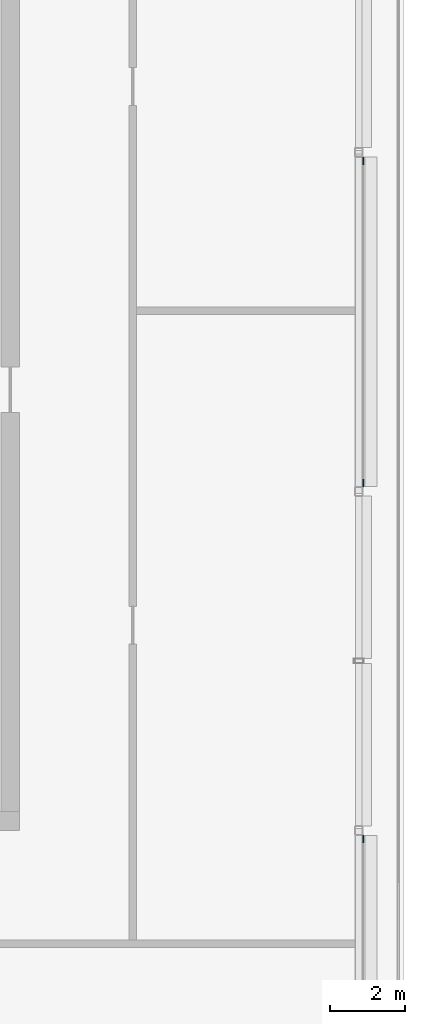
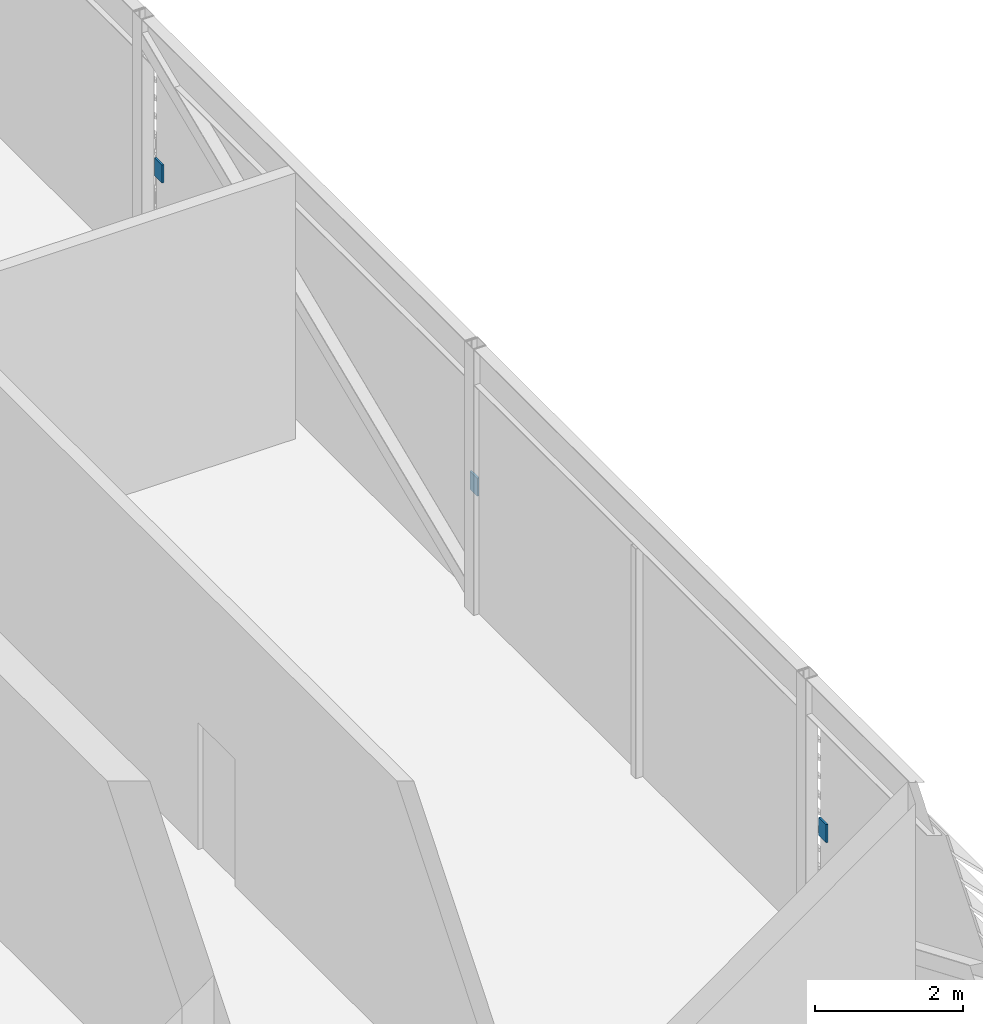
# One storey, part 22 of 29: 3 discrete accessories.
"""IFC4 building model written with IfcOpenShell, lengths in metres."""

import ifcopenshell
import ifcopenshell.guid

model = None  # the IFC model being written
_history = None  # IfcOwnerHistory: only IFC2X3 demands one
_inside = {}  # id of a spatial element -> (the spatial element, [elements in it])
_under = {}  # id of a project, library or spatial element -> (it, [spatial elements below it])
_declared = {}  # id of a project -> (the project, [libraries it declares])
_typed = {}  # id of a type object -> (the type object, [elements of that type])
_made_of = {}  # id of a material, layer set ... -> (it, [elements and type objects made of it])


def new_model(schema):
    """Start an empty IFC model of exactly this schema.

    Asked for "IFC4X3", IfcOpenShell would pick the latest addendum, in which some entities
    have other attributes; the version numbers below select the first issue.
    IFC2X3 requires an IfcOwnerHistory on every rooted entity: one is made here for all.
    """
    global model, _history
    if schema == "IFC4X3":
        model = ifcopenshell.file(schema_version=(4, 3, 0, 0))
    else:
        model = ifcopenshell.file(schema=schema)
    _inside.clear()
    _under.clear()
    _declared.clear()
    _typed.clear()
    _made_of.clear()
    _history = None
    if model.schema == "IFC2X3":
        org = make("IfcOrganization", Name="unknown")
        user = make(
            "IfcPersonAndOrganization",
            ThePerson=make("IfcPerson", FamilyName="unknown"),
            TheOrganization=org,
        )
        app = make(
            "IfcApplication",
            ApplicationDeveloper=org,
            Version="unknown",
            ApplicationFullName="unknown",
            ApplicationIdentifier="unknown",
        )
        _history = make(
            "IfcOwnerHistory",
            OwningUser=user,
            OwningApplication=app,
            ChangeAction="ADDED",
            CreationDate=0,
        )
    return model


def make(cls, **values):
    """One entity of the class cls with the attributes given. An attribute that is None is left unset."""
    return model.create_entity(
        cls, **{name: value for name, value in values.items() if value is not None}
    )


def rooted(cls, **values):
    """An entity with a GlobalId (a new one), such as an element, a storey or a relation."""
    return make(cls, GlobalId=ifcopenshell.guid.new(), OwnerHistory=_history, **values)


def si_unit(unit_type, name, prefix=None):
    """IfcSIUnit, for example si_unit("LENGTHUNIT", "METRE", prefix="MILLI")."""
    return make("IfcSIUnit", UnitType=unit_type, Prefix=prefix, Name=name)


def assignment(units):
    """IfcUnitAssignment: the units of a project."""
    return None if units is None else make("IfcUnitAssignment", Units=units)


def point(xyz):
    """IfcCartesianPoint."""
    return None if xyz is None else make("IfcCartesianPoint", Coordinates=xyz)


def direction(xyz):
    """IfcDirection."""
    return None if xyz is None else make("IfcDirection", DirectionRatios=xyz)


def frame(location, z_axis=None, x_axis=None):
    """IfcAxis2Placement3D, a coordinate frame: its origin and axes. An axis left out is left unset."""
    return make(
        "IfcAxis2Placement3D",
        Location=point(location),
        Axis=direction(z_axis),
        RefDirection=direction(x_axis),
    )


def frame_2d(location, x_axis=None):
    """IfcAxis2Placement2D, a coordinate frame in the plane: its origin and x axis."""
    return make(
        "IfcAxis2Placement2D", Location=point(location), RefDirection=direction(x_axis)
    )


def origin():
    """The frame at (0, 0, 0) with its axes left unset."""
    return frame((0.0, 0.0, 0.0))


def origin_2d():
    """The frame at (0, 0) in the plane with its x axis left unset."""
    return frame_2d((0.0, 0.0))


def place(relative_to, where):
    """IfcLocalPlacement: puts the frame where relative to a parent placement (None: the world)."""
    return make(
        "IfcLocalPlacement", PlacementRelTo=relative_to, RelativePlacement=where
    )


def context(
    kind, dimensions, precision=None, world=None, true_north=None, identifier=None
):
    """IfcGeometricRepresentationContext, for example the 3D "Model" context."""
    return make(
        "IfcGeometricRepresentationContext",
        ContextIdentifier=identifier,
        ContextType=kind,
        CoordinateSpaceDimension=dimensions,
        Precision=precision,
        WorldCoordinateSystem=world,
        TrueNorth=true_north,
    )


def subcontext(parent, identifier, kind, view, scale=None):
    """IfcGeometricRepresentationSubContext, for example "Body" below "Model"."""
    return make(
        "IfcGeometricRepresentationSubContext",
        ContextIdentifier=identifier,
        ContextType=kind,
        ParentContext=parent,
        TargetScale=scale,
        TargetView=view,
    )


def project(units=None, contexts=None):
    """IfcProject with its units and contexts."""
    return rooted(
        "IfcProject",
        Name="project",
        RepresentationContexts=contexts,
        UnitsInContext=assignment(units),
    )


def spatial(cls, under=None, at=None, **own):
    """A site, building, storey or space (cls), placed at a placement, below another one or the project."""
    s = rooted(cls, ObjectPlacement=at, **own)
    if under is not None:
        _under.setdefault(under.id(), (under, []))[1].append(s)
    return s


def profile(cls, at=None, kind="AREA", **sizes):
    """A parametric profile (cls). Its sizes go by their IFC names, for example OverallWidth=200.0."""
    return make(cls, ProfileType=kind, Position=at, **sizes)


def rectangle(**sizes):
    """IfcRectangleProfileDef."""
    return profile("IfcRectangleProfileDef", **sizes)


def extrude(swept, where, along, depth):
    """IfcExtrudedAreaSolid: the profile swept, set in the frame where, extruded along a direction by depth."""
    return make(
        "IfcExtrudedAreaSolid",
        SweptArea=swept,
        Position=where,
        ExtrudedDirection=direction(along),
        Depth=depth,
    )


def shape(context_of_items, identifier, shape_type, items):
    """IfcShapeRepresentation: the items that make up one representation, for example the "Body"."""
    return make(
        "IfcShapeRepresentation",
        ContextOfItems=context_of_items,
        RepresentationIdentifier=identifier,
        RepresentationType=shape_type,
        Items=items,
    )


def material(Name=None, Category=None):
    """IfcMaterial."""
    return make("IfcMaterial", Name=Name, Category=Category)


def made_of(thing, what):
    """Note that an element or type object is made of a material, layer set ...; save() writes the relation."""
    if what is not None:
        _made_of.setdefault(what.id(), (what, []))[1].append(thing)
    return thing


def type_object(cls, material=None, **own):
    """A type object (cls), such as IfcWallType, which elements share."""
    return made_of(rooted(cls, **own), material)


def element(
    cls,
    number,
    at=None,
    inside=None,
    cuts=None,
    type_object=None,
    material=None,
    context=None,
    identifier="Body",
    shape_type=None,
    held_by="IfcProductDefinitionShape",
    body=None,
    shapes=None,
    **own,
):
    """One element of the class cls, such as IfcWall. Its Tag is "e" and its number.

    at: its placement. inside: the storey or other place that contains it. cuts: it is an
    opening in that element (IfcRelVoidsElement). A single representation is given by context,
    identifier, shape_type and body (its items); several are given by shapes. held_by: the class
    of the entity that holds the representations. save() writes the other relations.
    """
    e = rooted(cls, Tag="e%d" % number, ObjectPlacement=at, **own)
    if body is not None:
        shapes = [shape(context, identifier, shape_type, body)]
    if shapes is not None:
        e.Representation = make(held_by, Representations=shapes)
    if inside is not None:
        _inside.setdefault(inside.id(), (inside, []))[1].append(e)
    if cuts is not None:
        rooted(
            "IfcRelVoidsElement", RelatingBuildingElement=cuts, RelatedOpeningElement=e
        )
    if type_object is not None:
        _typed.setdefault(type_object.id(), (type_object, []))[1].append(e)
    return made_of(e, material)


def aggregate(whole, parts):
    """IfcRelAggregates: a whole, such as a stair, and the parts it consists of."""
    return rooted("IfcRelAggregates", RelatingObject=whole, RelatedObjects=parts)


def save(model, path):
    """Write the relations noted so far, then the file.

    IfcRelAggregates (storeys below a building ...), IfcRelContainedInSpatialStructure (elements
    in a storey), IfcRelDefinesByType, IfcRelAssociatesMaterial and IfcRelDeclares: one each for
    every whole, place, type object, material and project.
    """
    for whole, parts in _under.values():
        aggregate(whole, parts)
    for where, things in _inside.values():
        rooted(
            "IfcRelContainedInSpatialStructure",
            RelatedElements=things,
            RelatingStructure=where,
        )
    for kind, things in _typed.values():
        rooted("IfcRelDefinesByType", RelatedObjects=things, RelatingType=kind)
    for what, things in _made_of.values():
        rooted("IfcRelAssociatesMaterial", RelatedObjects=things, RelatingMaterial=what)
    for by, libraries in _declared.values():
        rooted("IfcRelDeclares", RelatingContext=by, RelatedDefinitions=libraries)
    model.write(path)


model = new_model("IFC4")

# Units and contexts
model_context = context("Model", 3, precision=1e-05, world=origin(), true_north=direction((0.0, 1.0)))
body_context = subcontext(model_context, "Body", "Model", "MODEL_VIEW")
ifc_project = project(units=[si_unit("LENGTHUNIT", "METRE"), si_unit("AREAUNIT", "SQUARE_METRE"), si_unit("VOLUMEUNIT", "CUBIC_METRE"), si_unit("PLANEANGLEUNIT", "RADIAN"), si_unit("MASSUNIT", "GRAM", prefix="KILO")], contexts=[model_context])

# Site, building, storey
site_placement = place(None, origin())
site = spatial("IfcSite", under=ifc_project, at=site_placement, CompositionType="ELEMENT")
building_placement = place(site_placement, origin())
building = spatial("IfcBuilding", under=site, at=building_placement, Name="Madar Terraces", CompositionType="ELEMENT")
storey_placement = place(building_placement, frame((0.0, 0.0, 296.300048828125)))
storey = spatial("IfcBuildingStorey", under=building, at=storey_placement, Name="L77", CompositionType="ELEMENT", Elevation=296.300048828125)

# Discrete accessories
ifc_material = material(Name="Steel, galvanised", Category="steel")
discrete_accessory_type = type_object("IfcDiscreteAccessoryType", Name="Louvre bank bracket", PredefinedType="BRACKET", material=ifc_material)
for number, where, z_axis, x_axis, name in (
    (1, (56.5166015625, 14.77294921875, 1.7490234375), (0.0, 0.0, 1.0), (0.0, 1.0, 0.0), "Louvre bank bracket"),
    (2, (56.5166015625, 24.22705078125, 1.7490234375), (0.0, 0.0, 1.0), (0.0, 1.0, 0.0), "Louvre bank bracket"),
    (3, (56.5166015625, 32.77294921875, 1.7490234375), (0.0, 0.0, 1.0), (0.0, 1.0, 0.0), "Louvre bank bracket"),
):
    element("IfcDiscreteAccessory", number, at=place(storey_placement, frame(where, z_axis=z_axis, x_axis=x_axis)), inside=storey, type_object=discrete_accessory_type, Name=name, PredefinedType="BRACKET", context=body_context, shape_type="SweptSolid", body=[
        extrude(rectangle(XDim=0.199951171875, YDim=0.030029296875, at=origin_2d()), origin(), (0.0, 0.0, 1.0), 0.300048828125),
    ])

save(model, "model.ifc")
